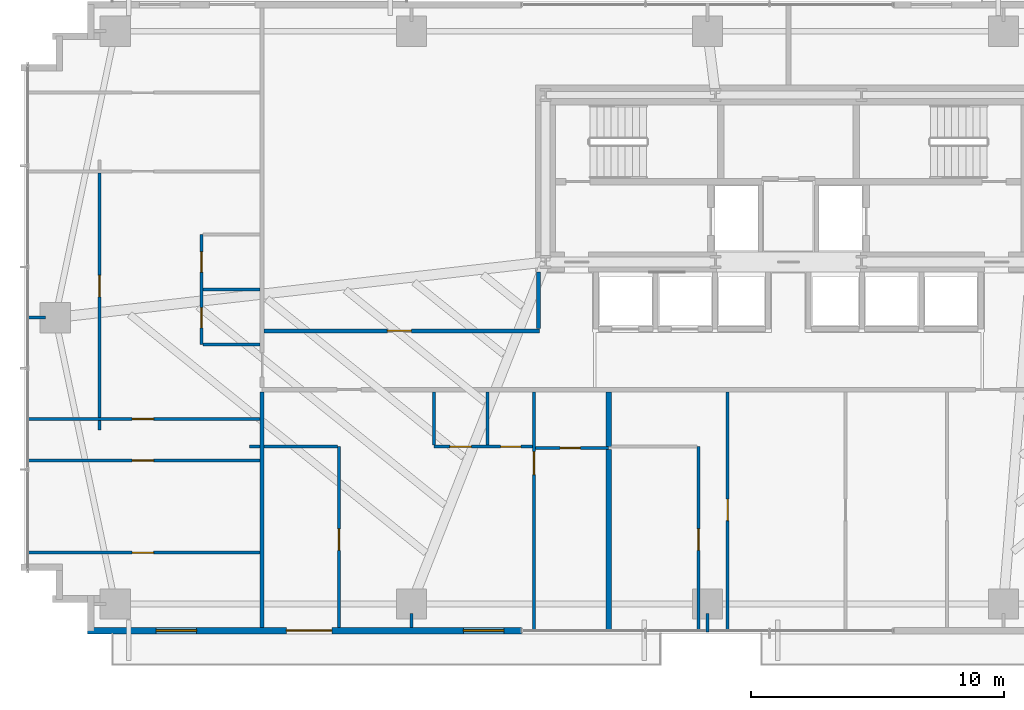
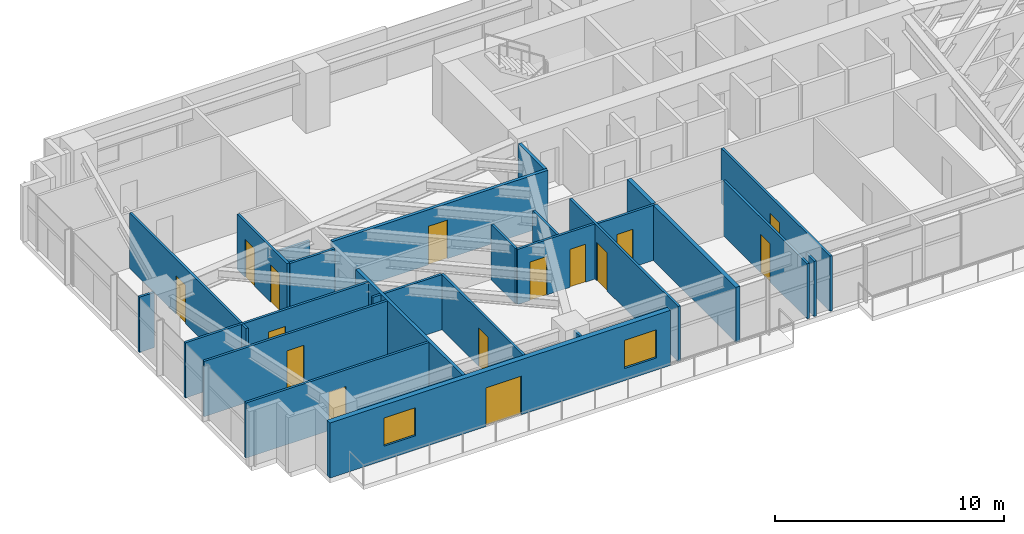
# One storey, part 19 of 25: 27 walls, 15 doors, 2 windows, 17 openings.
"""IFC4 building model written with IfcOpenShell, lengths in metres."""

from ifc_helpers import new_model, si_unit, direction, frame, frame_2d, origin, place, context, subcontext, project, spatial, rectangle, extrude, source, transform, mapped, material, layer, layer_set, type_object, type_shapes, element, fill, save


model = new_model("IFC4")

# Units and contexts
model_context = context("Model", 3, precision=1e-05, world=origin(), true_north=direction((0.0, 1.0)))
body_context = subcontext(model_context, "Body", "Model", "MODEL_VIEW")
ifc_project = project(units=[si_unit("LENGTHUNIT", "METRE"), si_unit("AREAUNIT", "SQUARE_METRE"), si_unit("VOLUMEUNIT", "CUBIC_METRE"), si_unit("PLANEANGLEUNIT", "RADIAN"), si_unit("MASSUNIT", "GRAM", prefix="KILO")], contexts=[model_context])

# Site, building, storey
site_placement = place(None, origin())
site = spatial("IfcSite", under=ifc_project, at=site_placement, CompositionType="ELEMENT")
building_placement = place(site_placement, origin())
building = spatial("IfcBuilding", under=site, at=building_placement, Name="Astriad Promenade Condominiums", CompositionType="ELEMENT")
storey_placement = place(building_placement, frame((0.0, 0.0, 26.199951171875)))
storey = spatial("IfcBuildingStorey", under=building, at=storey_placement, Name="L06", CompositionType="ELEMENT", Elevation=26.199951171875)

# Wall
ifc_material_1 = material(Name="Fire-Rated Gypsum Partition")
ifc_layer_1 = layer(ifc_material_1, 0.159912109375)
ifc_layer_set_1 = layer_set([ifc_layer_1], Name="Fire-Rated Gypsum Partition")
wall_type_1 = type_object("IfcWallType", Name="WALL-CORR-160", PredefinedType="PARTITIONING", material=ifc_layer_set_1)
wall_1_placement = place(storey_placement, frame((15.199951171875, 2.9619140625, 0.0), z_axis=(0.0, 0.0, 1.0), x_axis=(0.0, 1.0, 0.0)))
element("IfcWall", 1, at=wall_1_placement, inside=storey, type_object=wall_type_1, Name="PT-COR-W-L06", PredefinedType="PARTITIONING", context=body_context, shape_type="SweptSolid", body=[
    extrude(rectangle(XDim=9.30615234375, YDim=0.159912109375, at=frame_2d((4.653076171875, 0.0))), origin(), (0.0, 0.0, 1.0), 2.93994140625),
])

# Wall, opening, door
wall_2_placement = place(storey_placement, frame((15.281982421875, 14.679931640625, 0.0), z_axis=(0.0, 0.0, 1.0), x_axis=(1.0, 0.0, 0.0)))
wall_2 = element("IfcWall", 2, at=wall_2_placement, inside=storey, type_object=wall_type_1, Name="PT-FLK-NW-L06", PredefinedType="PARTITIONING", context=body_context, shape_type="SweptSolid", body=[
    extrude(rectangle(XDim=10.8779296875, YDim=0.159912109375, at=frame_2d((5.43896484375, 0.0))), origin(), (0.0, 0.0, 1.0), 2.93994140625),
])
opening_1_placement = place(wall_2_placement, frame((4.863037109375, 0.0, 0.0)))
opening_1 = element("IfcOpeningElement", 3, at=opening_1_placement, cuts=wall_2, Name="Opening FD60-APT-095", PredefinedType="OPENING", context=body_context, shape_type="SweptSolid", body=[
    extrude(rectangle(XDim=0.949951171875, YDim=2.06005859375, at=frame_2d((0.47509765625, 1.030029296875))), frame((0.0, 0.08984375, 0.0), z_axis=(0.0, -1.0, 0.0), x_axis=(1.0, 0.0, 0.0)), (0.0, 0.0, 1.0), 0.179931640625),
])
ifc_material_2 = material(Name="Solid-Core Acoustic Timber Residence Entry Door", Category="wood")
door_type_1 = type_object("IfcDoorType", Name="FD60-APT-095", OperationType="NOTDEFINED", PredefinedType="DOOR", material=ifc_material_2)
shared_shape_1 = source(origin(), body_context, "Body", "SweptSolid", [
    extrude(rectangle(XDim=0.949951171875, YDim=2.06005859375, at=frame_2d((0.47509765625, 1.030029296875))), frame((0.0, 0.02490234375, 0.0), z_axis=(0.0, -1.0, 0.0), x_axis=(1.0, 0.0, 0.0)), (0.0, 0.0, 1.0), 0.050048828125),
])
type_shapes(door_type_1, [shared_shape_1])
door_1_placement = place(opening_1_placement, origin())
door_1 = element("IfcDoor", 4, at=door_1_placement, inside=storey, type_object=door_type_1, Name="D-NWA-L06", OperationType="SINGLE_SWING_RIGHT", OverallHeight=2.06005859375, OverallWidth=0.949951171875, PredefinedType="DOOR", context=body_context, shape_type="MappedRepresentation", body=[
    mapped(shared_shape_1, transform((0.0, 0.0, 0.0), scale=1.0)),
])
fill(opening_1, door_1)

# Walls
wall_3_placement = place(storey_placement, frame((26.1201171875, 14.761962890625, 0.0), z_axis=(0.0, 0.0, 1.0), x_axis=(0.0, 1.0, 0.0)))
element("IfcWall", 5, at=wall_3_placement, inside=storey, type_object=wall_type_1, Name="PT-WSPUR-W-L06", PredefinedType="PARTITIONING", context=body_context, shape_type="SweptSolid", body=[
    extrude(rectangle(XDim=2.236083984375, YDim=0.159912109375, at=frame_2d((1.1181640625, 0.0))), origin(), (0.0, 0.0, 1.0), 2.93994140625),
])
ifc_material_3 = material(Name="Acoustic Double-Stud Gypsum Partition")
ifc_layer_2 = layer(ifc_material_3, 0.199951171875)
ifc_layer_set_2 = layer_set([ifc_layer_2], Name="Acoustic Double-Stud Gypsum Partition")
wall_type_2 = type_object("IfcWallType", Name="WALL-DEMISING-200", PredefinedType="PARTITIONING", material=ifc_layer_set_2)
wall_4_placement = place(storey_placement, frame((28.89794921875, 2.780029296875, 0.0), z_axis=(0.0, 0.0, 1.0), x_axis=(0.0, 1.0, 0.0)))
element("IfcWall", 6, at=wall_4_placement, inside=storey, type_object=wall_type_2, Name="PT-DEM-S1-L06", PredefinedType="PARTITIONING", context=body_context, shape_type="SweptSolid", body=[
    extrude(rectangle(XDim=7.2080078125, YDim=0.199951171875, at=frame_2d((3.60400390625, 0.0))), origin(), (0.0, 0.0, 1.0), 2.93994140625),
])
wall_5_placement = place(storey_placement, frame((28.89794921875, 10.112060546875, 0.0), z_axis=(0.0, 0.0, 1.0), x_axis=(0.0, 1.0, 0.0)))
element("IfcWall", 7, at=wall_5_placement, inside=storey, type_object=wall_type_2, Name="PT-DEM-S1-L06-S2", PredefinedType="PARTITIONING", context=body_context, shape_type="SweptSolid", body=[
    extrude(rectangle(XDim=2.156005859375, YDim=0.199951171875, at=frame_2d((1.078125, 0.0))), origin(), (0.0, 0.0, 1.0), 2.93994140625),
])

# Wall, openings, door, windows
ifc_material_4 = material(Name="Precast concrete C50/60", Category="concrete")
ifc_layer_3 = layer(ifc_material_4, 0.260009765625)
ifc_layer_set_3 = layer_set([ifc_layer_3], Name="Precast concrete C50/60")
wall_type_3 = type_object("IfcWallType", Name="WALL-EXT-TWR-260", PredefinedType="STANDARD", material=ifc_layer_set_3)
wall_6_placement = place(storey_placement, frame((25.449951171875, 2.830078125, 0.0), z_axis=(0.0, 0.0, 1.0), x_axis=(-1.0, 0.0, 0.0)))
wall_6 = element("IfcWall", 8, at=wall_6_placement, inside=storey, type_object=wall_type_3, Name="W-EXT-L06-S2", PredefinedType="STANDARD", context=body_context, shape_type="SweptSolid", body=[
    extrude(rectangle(XDim=17.14990234375, YDim=0.260009765625, at=frame_2d((8.574951171875, 0.0))), origin(), (0.0, 0.0, 1.0), 2.93994140625),
])
opening_2_placement = place(wall_6_placement, frame((7.489990234375, 0.0, 0.0)))
opening_2 = element("IfcOpeningElement", 9, at=opening_2_placement, cuts=wall_6, Name="Opening BD-1822-SLD", PredefinedType="OPENING", context=body_context, shape_type="SweptSolid", body=[
    extrude(rectangle(XDim=1.800048828125, YDim=2.06005859375, at=frame_2d((0.89990234375, 1.030029296875))), frame((0.0, 0.139892578125, 0.0), z_axis=(0.0, -1.0, 0.0), x_axis=(1.0, 0.0, 0.0)), (0.0, 0.0, 1.0), 0.280029296875),
])
opening_3_placement = place(wall_6_placement, frame((0.699951171875, 0.0, 0.64990234375)))
opening_3 = element("IfcOpeningElement", 10, at=opening_3_placement, cuts=wall_6, Name="Opening WIN-TWR-1620", PredefinedType="OPENING", context=body_context, shape_type="SweptSolid", body=[
    extrude(rectangle(XDim=1.60009765625, YDim=1.5, at=frame_2d((0.800048828125, 0.75))), frame((0.0, 0.139892578125, 0.0), z_axis=(0.0, -1.0, 0.0), x_axis=(1.0, 0.0, 0.0)), (0.0, 0.0, 1.0), 0.280029296875),
])
opening_4_placement = place(wall_6_placement, frame((12.840087890625, 0.0, 0.75)))
opening_4 = element("IfcOpeningElement", 11, at=opening_4_placement, cuts=wall_6, Name="Opening WIN-TWR-1620", PredefinedType="OPENING", context=body_context, shape_type="SweptSolid", body=[
    extrude(rectangle(XDim=1.60009765625, YDim=1.5, at=frame_2d((0.800048828125, 0.75))), frame((0.0, 0.139892578125, 0.0), z_axis=(0.0, -1.0, 0.0), x_axis=(1.0, 0.0, 0.0)), (0.0, 0.0, 1.0), 0.280029296875),
])
ifc_material_5 = material(Name="Thermally Broken Aluminium Sliding Balcony Door", Category="aluminium")
door_type_2 = type_object("IfcDoorType", Name="BD-1822-SLD", OperationType="NOTDEFINED", PredefinedType="DOOR", material=ifc_material_5)
shared_shape_2 = source(origin(), body_context, "Body", "SweptSolid", [
    extrude(rectangle(XDim=1.800048828125, YDim=2.06005859375, at=frame_2d((0.89990234375, 1.030029296875))), frame((0.0, 0.02490234375, 0.0), z_axis=(0.0, -1.0, 0.0), x_axis=(1.0, 0.0, 0.0)), (0.0, 0.0, 1.0), 0.050048828125),
])
type_shapes(door_type_2, [shared_shape_2])
door_2_placement = place(opening_2_placement, origin())
door_2 = element("IfcDoor", 12, at=door_2_placement, inside=storey, type_object=door_type_2, Name="BD-L06-SW", OperationType="SLIDING_TO_LEFT", OverallHeight=2.06005859375, OverallWidth=1.800048828125, PredefinedType="DOOR", context=body_context, shape_type="MappedRepresentation", body=[
    mapped(shared_shape_2, transform((0.0, 0.0, 0.0), scale=1.0)),
])
fill(opening_2, door_2)
ifc_material_6 = material(Name="Dark Tinted Triple-Glazed Aluminium Window", Category="aluminium")
window_type = type_object("IfcWindowType", Name="WIN-TWR-1620", PartitioningType="SINGLE_PANEL", PredefinedType="WINDOW", material=ifc_material_6)
shared_shape_3 = source(origin(), body_context, "Body", "SweptSolid", [
    extrude(rectangle(XDim=1.60009765625, YDim=1.5, at=frame_2d((0.800048828125, 0.75))), frame((0.0, 0.030029296875, 0.0), z_axis=(0.0, -1.0, 0.0), x_axis=(1.0, 0.0, 0.0)), (0.0, 0.0, 1.0), 0.06005859375),
])
type_shapes(window_type, [shared_shape_3])
window_1_placement = place(opening_3_placement, origin())
window_1 = element("IfcWindow", 13, at=window_1_placement, inside=storey, type_object=window_type, Name="WIN-L06-SW", OverallHeight=1.5, OverallWidth=1.60009765625, PartitioningType="SINGLE_PANEL", PredefinedType="WINDOW", context=body_context, shape_type="MappedRepresentation", body=[
    mapped(shared_shape_3, transform((0.0, 0.0, 0.0), scale=1.0)),
])
fill(opening_3, window_1)
window_2_placement = place(opening_4_placement, origin())
window_2 = element("IfcWindow", 14, at=window_2_placement, inside=storey, type_object=window_type, Name="WIN-DW-L06-W1-BD2", OverallHeight=1.5, OverallWidth=1.60009765625, PartitioningType="SINGLE_PANEL", PredefinedType="WINDOW", context=body_context, shape_type="MappedRepresentation", body=[
    mapped(shared_shape_3, transform((0.0, 0.0, 0.0), scale=1.0)),
])
fill(opening_4, window_2)

# Wall, opening, door
ifc_material_7 = material(Name="Acoustic Metal-Stud Gypsum Partition")
ifc_layer_4 = layer(ifc_material_7, 0.1201171875)
ifc_layer_set_4 = layer_set([ifc_layer_4], Name="Acoustic Metal-Stud Gypsum Partition")
wall_type_4 = type_object("IfcWallType", Name="WALL-PART-120", PredefinedType="PARTITIONING", material=ifc_layer_set_4)
wall_7_placement = place(storey_placement, frame((25.947998046875, 2.780029296875, 0.0), z_axis=(0.0, 0.0, 1.0), x_axis=(0.0, 1.0, 0.0)))
wall_7 = element("IfcWall", 15, at=wall_7_placement, inside=storey, type_object=wall_type_4, Name="PT-L06-S1-BD1", PredefinedType="PARTITIONING", context=body_context, shape_type="SweptSolid", body=[
    extrude(rectangle(XDim=9.488037109375, YDim=0.1201171875, at=frame_2d((4.744140625, 0.0))), origin(), (0.0, 0.0, 1.0), 2.93994140625),
])
opening_5_placement = place(wall_7_placement, frame((6.219970703125, 0.0, 0.0)))
opening_5 = element("IfcOpeningElement", 16, at=opening_5_placement, cuts=wall_7, Name="Opening D-INT-090", PredefinedType="OPENING", context=body_context, shape_type="SweptSolid", body=[
    extrude(rectangle(XDim=0.89990234375, YDim=2.050048828125, at=frame_2d((0.449951171875, 1.02490234375))), frame((0.0, 0.070068359375, 0.0), z_axis=(0.0, -1.0, 0.0), x_axis=(1.0, 0.0, 0.0)), (0.0, 0.0, 1.0), 0.14013671875),
])
ifc_material_8 = material(Name="Painted Solid-Core Timber Bedroom Door", Category="wood")
door_type_3 = type_object("IfcDoorType", Name="D-INT-090", OperationType="NOTDEFINED", PredefinedType="DOOR", material=ifc_material_8)
shared_shape_4 = source(origin(), body_context, "Body", "SweptSolid", [
    extrude(rectangle(XDim=0.89990234375, YDim=2.050048828125, at=frame_2d((0.449951171875, 1.02490234375))), frame((0.0, 0.02490234375, 0.0), z_axis=(0.0, -1.0, 0.0), x_axis=(1.0, 0.0, 0.0)), (0.0, 0.0, 1.0), 0.050048828125),
])
type_shapes(door_type_3, [shared_shape_4])
door_3_placement = place(opening_5_placement, origin())
door_3 = element("IfcDoor", 17, at=door_3_placement, inside=storey, type_object=door_type_3, Name="D-BD1-L06-S1", OperationType="SINGLE_SWING_LEFT", OverallHeight=2.050048828125, OverallWidth=0.89990234375, PredefinedType="DOOR", context=body_context, shape_type="MappedRepresentation", body=[
    mapped(shared_shape_4, transform((0.0, 0.0, 0.0), scale=1.0)),
])
fill(opening_5, door_3)

# Wall, openings, doors
wall_8_placement = place(storey_placement, frame((21.998046875, 10.10009765625, 0.0), z_axis=(0.0, 0.0, 1.0), x_axis=(1.0, 0.0, 0.0)))
wall_8 = element("IfcWall", 18, at=wall_8_placement, inside=storey, type_object=wall_type_4, Name="PT-L06-S1-PS", PredefinedType="PARTITIONING", context=body_context, shape_type="SweptSolid", body=[
    extrude(rectangle(XDim=3.887939453125, YDim=0.1201171875, at=frame_2d((1.94384765625, 0.0))), origin(), (0.0, 0.0, 1.0), 2.93994140625),
])
opening_6_placement = place(wall_8_placement, frame((0.625, 0.0, 0.0)))
opening_6 = element("IfcOpeningElement", 19, at=opening_6_placement, cuts=wall_8, Name="Opening D-INT-085", PredefinedType="OPENING", context=body_context, shape_type="SweptSolid", body=[
    extrude(rectangle(XDim=0.85009765625, YDim=2.050048828125, at=frame_2d((0.425048828125, 1.02490234375))), frame((0.0, 0.070068359375, 0.0), z_axis=(0.0, -1.0, 0.0), x_axis=(1.0, 0.0, 0.0)), (0.0, 0.0, 1.0), 0.14013671875),
])
opening_7_placement = place(wall_8_placement, frame((2.625, 0.0, 0.0)))
opening_7 = element("IfcOpeningElement", 20, at=opening_7_placement, cuts=wall_8, Name="Opening D-WET-080", PredefinedType="OPENING", context=body_context, shape_type="SweptSolid", body=[
    extrude(rectangle(XDim=0.800048828125, YDim=2.02001953125, at=frame_2d((0.39990234375, 1.010009765625))), frame((0.0, 0.070068359375, 0.0), z_axis=(0.0, -1.0, 0.0), x_axis=(1.0, 0.0, 0.0)), (0.0, 0.0, 1.0), 0.14013671875),
])
ifc_material_9 = material(Name="Moisture-Resistant Timber Bathroom Door", Category="wood")
door_type_4 = type_object("IfcDoorType", Name="D-WET-080", OperationType="NOTDEFINED", PredefinedType="DOOR", material=ifc_material_9)
shared_shape_5 = source(origin(), body_context, "Body", "SweptSolid", [
    extrude(rectangle(XDim=0.800048828125, YDim=2.02001953125, at=frame_2d((0.39990234375, 1.010009765625))), frame((0.0, 0.02490234375, 0.0), z_axis=(0.0, -1.0, 0.0), x_axis=(1.0, 0.0, 0.0)), (0.0, 0.0, 1.0), 0.050048828125),
])
type_shapes(door_type_4, [shared_shape_5])
door_4_placement = place(opening_7_placement, origin())
door_4 = element("IfcDoor", 21, at=door_4_placement, inside=storey, type_object=door_type_4, Name="D-BTH-L06-S1", OperationType="SINGLE_SWING_LEFT", OverallHeight=2.02001953125, OverallWidth=0.800048828125, PredefinedType="DOOR", context=body_context, shape_type="MappedRepresentation", body=[
    mapped(shared_shape_5, transform((0.0, 0.0, 0.0), scale=1.0)),
])
fill(opening_7, door_4)
ifc_material_10 = material(Name="Painted Solid-Core Timber Room Door", Category="wood")
door_type_5 = type_object("IfcDoorType", Name="D-INT-085", OperationType="NOTDEFINED", PredefinedType="DOOR", material=ifc_material_10)
shared_shape_6 = source(origin(), body_context, "Body", "SweptSolid", [
    extrude(rectangle(XDim=0.85009765625, YDim=2.050048828125, at=frame_2d((0.425048828125, 1.02490234375))), frame((0.0, 0.02490234375, 0.0), z_axis=(0.0, -1.0, 0.0), x_axis=(1.0, 0.0, 0.0)), (0.0, 0.0, 1.0), 0.050048828125),
])
type_shapes(door_type_5, [shared_shape_6])
door_5_placement = place(opening_6_placement, origin())
door_5 = element("IfcDoor", 22, at=door_5_placement, inside=storey, type_object=door_type_5, Name="D-KIT-L06-S1", OperationType="SINGLE_SWING_RIGHT", OverallHeight=2.050048828125, OverallWidth=0.85009765625, PredefinedType="DOOR", context=body_context, shape_type="MappedRepresentation", body=[
    mapped(shared_shape_6, transform((0.0, 0.0, 0.0), scale=1.0)),
])
fill(opening_6, door_5)

# Walls
for number, where, z_axis, x_axis, name in (
    (23, (24.097900390625, 10.162109375, 0.0), (0.0, 0.0, 1.0), (0.0, 1.0, 0.0), "PT-L06-S1-PBK"),
    (24, (21.998046875, 10.162109375, 0.0), (0.0, 0.0, 1.0), (0.0, 1.0, 0.0), "PT-L06-S1-PKW"),
):
    element("IfcWall", number, at=place(storey_placement, frame(where, z_axis=z_axis, x_axis=x_axis)), inside=storey, type_object=wall_type_4, Name=name, PredefinedType="PARTITIONING", context=body_context, shape_type="SweptSolid", body=[
        extrude(rectangle(XDim=2.10595703125, YDim=0.1201171875, at=frame_2d((1.052978515625, 0.0))), origin(), (0.0, 0.0, 1.0), 2.93994140625),
    ])

# Wall, opening, door
wall_9_placement = place(storey_placement, frame((26.010009765625, 10.050048828125, 0.0), z_axis=(0.0, 0.0, 1.0), x_axis=(1.0, 0.0, 0.0)))
wall_9 = element("IfcWall", 25, at=wall_9_placement, inside=storey, type_object=wall_type_4, Name="PT-L06-S1-ENS", PredefinedType="PARTITIONING", context=body_context, shape_type="SweptSolid", body=[
    extrude(rectangle(XDim=2.887939453125, YDim=0.1201171875, at=frame_2d((1.44384765625, 0.0))), origin(), (0.0, 0.0, 1.0), 2.93994140625),
])
opening_8_placement = place(wall_9_placement, frame((0.962890625, 0.0, 0.0)))
opening_8 = element("IfcOpeningElement", 26, at=opening_8_placement, cuts=wall_9, Name="Opening D-WET-080", PredefinedType="OPENING", context=body_context, shape_type="SweptSolid", body=[
    extrude(rectangle(XDim=0.800048828125, YDim=2.02001953125, at=frame_2d((0.39990234375, 1.010009765625))), frame((0.0, 0.070068359375, 0.0), z_axis=(0.0, -1.0, 0.0), x_axis=(1.0, 0.0, 0.0)), (0.0, 0.0, 1.0), 0.14013671875),
])
door_6_placement = place(opening_8_placement, origin())
door_6 = element("IfcDoor", 27, at=door_6_placement, inside=storey, type_object=door_type_4, Name="D-ENS-L06-S1", OperationType="SINGLE_SWING_RIGHT", OverallHeight=2.02001953125, OverallWidth=0.800048828125, PredefinedType="DOOR", context=body_context, shape_type="MappedRepresentation", body=[
    mapped(shared_shape_5, transform((0.0, 0.0, 0.0), scale=1.0)),
])
fill(opening_8, door_6)

wall_10_placement = place(storey_placement, frame((18.236083984375, 2.9619140625, 0.0), z_axis=(0.0, 0.0, 1.0), x_axis=(0.0, 1.0, 0.0)))
wall_10 = element("IfcWall", 28, at=wall_10_placement, inside=storey, type_object=wall_type_4, Name="PT-L06-S1-EXV", PredefinedType="PARTITIONING", context=body_context, shape_type="SweptSolid", body=[
    extrude(rectangle(XDim=7.13818359375, YDim=0.1201171875, at=frame_2d((3.569091796875, 0.0))), origin(), (0.0, 0.0, 1.0), 2.93994140625),
])
opening_9_placement = place(wall_10_placement, frame((3.04296875, 0.0, 0.0)))
opening_9 = element("IfcOpeningElement", 29, at=opening_9_placement, cuts=wall_10, Name="Opening D-INT-085", PredefinedType="OPENING", context=body_context, shape_type="SweptSolid", body=[
    extrude(rectangle(XDim=0.85009765625, YDim=2.050048828125, at=frame_2d((0.425048828125, 1.02490234375))), frame((0.0, 0.070068359375, 0.0), z_axis=(0.0, -1.0, 0.0), x_axis=(1.0, 0.0, 0.0)), (0.0, 0.0, 1.0), 0.14013671875),
])
door_7_placement = place(opening_9_placement, origin())
door_7 = element("IfcDoor", 30, at=door_7_placement, inside=storey, type_object=door_type_5, Name="D-EX-L06-S1", OperationType="SINGLE_SWING_LEFT", OverallHeight=2.050048828125, OverallWidth=0.85009765625, PredefinedType="DOOR", context=body_context, shape_type="MappedRepresentation", body=[
    mapped(shared_shape_6, transform((0.0, 0.0, 0.0), scale=1.0)),
])
fill(opening_9, door_7)

# Walls
wall_11_placement = place(storey_placement, frame((14.699951171875, 10.10009765625, 0.0), z_axis=(0.0, 0.0, 1.0), x_axis=(1.0, 0.0, 0.0)))
element("IfcWall", 31, at=wall_11_placement, inside=storey, type_object=wall_type_4, Name="PT-L06-S1-EXH", PredefinedType="PARTITIONING", context=body_context, shape_type="SweptSolid", body=[
    extrude(rectangle(XDim=0.41796875, YDim=0.1201171875, at=frame_2d((0.208984375, 0.0))), origin(), (0.0, 0.0, 1.0), 2.93994140625),
])
wall_12_placement = place(storey_placement, frame((15.281982421875, 10.10009765625, 0.0), z_axis=(0.0, 0.0, 1.0), x_axis=(1.0, 0.0, 0.0)))
element("IfcWall", 32, at=wall_12_placement, inside=storey, type_object=wall_type_4, Name="PT-L06-S1-EXH-S2", PredefinedType="PARTITIONING", context=body_context, shape_type="SweptSolid", body=[
    extrude(rectangle(XDim=2.89208984375, YDim=0.1201171875, at=frame_2d((1.446044921875, 0.0))), origin(), (0.0, 0.0, 1.0), 2.93994140625),
])

# Wall, opening, door
wall_13_placement = place(storey_placement, frame((32.447998046875, 2.780029296875, 0.0), z_axis=(0.0, 0.0, 1.0), x_axis=(0.0, 1.0, 0.0)))
wall_13 = element("IfcWall", 33, at=wall_13_placement, inside=storey, type_object=wall_type_4, Name="PT-L06-S2-EXV", PredefinedType="PARTITIONING", context=body_context, shape_type="SweptSolid", body=[
    extrude(rectangle(XDim=7.320068359375, YDim=0.1201171875, at=frame_2d((3.66015625, 0.0))), origin(), (0.0, 0.0, 1.0), 2.93994140625),
])
opening_10_placement = place(wall_13_placement, frame((3.22509765625, 0.0, 0.0)))
opening_10 = element("IfcOpeningElement", 34, at=opening_10_placement, cuts=wall_13, Name="Opening D-INT-085", PredefinedType="OPENING", context=body_context, shape_type="SweptSolid", body=[
    extrude(rectangle(XDim=0.85009765625, YDim=2.050048828125, at=frame_2d((0.425048828125, 1.02490234375))), frame((0.0, 0.070068359375, 0.0), z_axis=(0.0, -1.0, 0.0), x_axis=(1.0, 0.0, 0.0)), (0.0, 0.0, 1.0), 0.14013671875),
])
door_8_placement = place(opening_10_placement, origin())
door_8 = element("IfcDoor", 35, at=door_8_placement, inside=storey, type_object=door_type_5, Name="D-EX-L06-S2", OperationType="SINGLE_SWING_RIGHT", OverallHeight=2.050048828125, OverallWidth=0.85009765625, PredefinedType="DOOR", context=body_context, shape_type="MappedRepresentation", body=[
    mapped(shared_shape_6, transform((0.0, 0.0, 0.0), scale=1.0)),
])
fill(opening_10, door_8)

wall_14_placement = place(storey_placement, frame((33.597900390625, 2.780029296875, 0.0), z_axis=(0.0, 0.0, 1.0), x_axis=(0.0, 1.0, 0.0)))
wall_14 = element("IfcWall", 36, at=wall_14_placement, inside=storey, type_object=wall_type_4, Name="PT-L06-S2-CAP1", PredefinedType="PARTITIONING", context=body_context, shape_type="SweptSolid", body=[
    extrude(rectangle(XDim=9.488037109375, YDim=0.1201171875, at=frame_2d((4.744140625, 0.0))), origin(), (0.0, 0.0, 1.0), 2.93994140625),
])
opening_11_placement = place(wall_14_placement, frame((4.39990234375, 0.0, 0.0)))
opening_11 = element("IfcOpeningElement", 37, at=opening_11_placement, cuts=wall_14, Name="Opening D-INT-085", PredefinedType="OPENING", context=body_context, shape_type="SweptSolid", body=[
    extrude(rectangle(XDim=0.85009765625, YDim=2.050048828125, at=frame_2d((0.425048828125, 1.02490234375))), frame((0.0, 0.070068359375, 0.0), z_axis=(0.0, -1.0, 0.0), x_axis=(1.0, 0.0, 0.0)), (0.0, 0.0, 1.0), 0.14013671875),
])
door_9_placement = place(opening_11_placement, origin())
door_9 = element("IfcDoor", 38, at=door_9_placement, inside=storey, type_object=door_type_5, Name="D-CAP1-L06-S2", OperationType="SINGLE_SWING_LEFT", OverallHeight=2.050048828125, OverallWidth=0.85009765625, PredefinedType="DOOR", context=body_context, shape_type="MappedRepresentation", body=[
    mapped(shared_shape_6, transform((0.0, 0.0, 0.0), scale=1.0)),
])
fill(opening_11, door_9)

# Wall, openings, doors
wall_15_placement = place(storey_placement, frame((12.800048828125, 14.135986328125, 0.0), z_axis=(0.0, 0.0, 1.0), x_axis=(0.0, 1.0, 0.0)))
wall_15 = element("IfcWall", 39, at=wall_15_placement, inside=storey, type_object=wall_type_4, Name="PT-L06-W1-PV", PredefinedType="PARTITIONING", context=body_context, shape_type="SweptSolid", body=[
    extrude(rectangle(XDim=4.35009765625, YDim=0.1201171875, at=frame_2d((2.175048828125, 0.0))), origin(), (0.0, 0.0, 1.0), 2.93994140625),
])
opening_12_placement = place(wall_15_placement, frame((0.662109375, 0.0, 0.0)))
opening_12 = element("IfcOpeningElement", 40, at=opening_12_placement, cuts=wall_15, Name="Opening D-ULOW-080", PredefinedType="OPENING", context=body_context, shape_type="SweptSolid", body=[
    extrude(rectangle(XDim=0.800048828125, YDim=2.0, at=frame_2d((0.39990234375, 1.0))), frame((0.0, 0.070068359375, 0.0), z_axis=(0.0, -1.0, 0.0), x_axis=(1.0, 0.0, 0.0)), (0.0, 0.0, 1.0), 0.14013671875),
])
opening_13_placement = place(wall_15_placement, frame((2.862060546875, 0.0, 0.0)))
opening_13 = element("IfcOpeningElement", 41, at=opening_13_placement, cuts=wall_15, Name="Opening D-WET-080", PredefinedType="OPENING", context=body_context, shape_type="SweptSolid", body=[
    extrude(rectangle(XDim=0.800048828125, YDim=2.02001953125, at=frame_2d((0.39990234375, 1.010009765625))), frame((0.0, 0.070068359375, 0.0), z_axis=(0.0, -1.0, 0.0), x_axis=(1.0, 0.0, 0.0)), (0.0, 0.0, 1.0), 0.14013671875),
])
door_10_placement = place(opening_13_placement, origin())
door_10 = element("IfcDoor", 42, at=door_10_placement, inside=storey, type_object=door_type_4, Name="D-BTH-L06-W1", OperationType="SINGLE_SWING_RIGHT", OverallHeight=2.02001953125, OverallWidth=0.800048828125, PredefinedType="DOOR", context=body_context, shape_type="MappedRepresentation", body=[
    mapped(shared_shape_5, transform((0.0, 0.0, 0.0), scale=1.0)),
])
fill(opening_13, door_10)
ifc_material_11 = material(Name="Painted Timber Low-Headroom Door", Category="wood")
door_type_6 = type_object("IfcDoorType", Name="D-ULOW-080", OperationType="NOTDEFINED", PredefinedType="DOOR", material=ifc_material_11)
shared_shape_7 = source(origin(), body_context, "Body", "SweptSolid", [
    extrude(rectangle(XDim=0.800048828125, YDim=2.0, at=frame_2d((0.39990234375, 1.0))), frame((0.0, 0.02490234375, 0.0), z_axis=(0.0, -1.0, 0.0), x_axis=(1.0, 0.0, 0.0)), (0.0, 0.0, 1.0), 0.050048828125),
])
type_shapes(door_type_6, [shared_shape_7])
door_11_placement = place(opening_12_placement, origin())
door_11 = element("IfcDoor", 43, at=door_11_placement, inside=storey, type_object=door_type_6, Name="D-KIT-L06-W1", OperationType="SINGLE_SWING_LEFT", OverallHeight=2.0, OverallWidth=0.800048828125, PredefinedType="DOOR", context=body_context, shape_type="MappedRepresentation", body=[
    mapped(shared_shape_7, transform((0.0, 0.0, 0.0), scale=1.0)),
])
fill(opening_12, door_11)

# Walls
wall_16_placement = place(storey_placement, frame((12.862060546875, 16.31103515625, 0.0), z_axis=(0.0, 0.0, 1.0), x_axis=(1.0, 0.0, 0.0)))
element("IfcWall", 44, at=wall_16_placement, inside=storey, type_object=wall_type_4, Name="PT-L06-W1-PM", PredefinedType="PARTITIONING", context=body_context, shape_type="SweptSolid", body=[
    extrude(rectangle(XDim=2.255859375, YDim=0.1201171875, at=frame_2d((1.1279296875, 0.0))), origin(), (0.0, 0.0, 1.0), 2.044921875),
])
wall_17_placement = place(storey_placement, frame((12.862060546875, 14.135986328125, 0.0), z_axis=(0.0, 0.0, 1.0), x_axis=(1.0, 0.0, 0.0)))
element("IfcWall", 45, at=wall_17_placement, inside=storey, type_object=wall_type_4, Name="PT-L06-W1-PS", PredefinedType="PARTITIONING", context=body_context, shape_type="SweptSolid", body=[
    extrude(rectangle(XDim=2.255859375, YDim=0.1201171875, at=frame_2d((1.1279296875, 0.0))), origin(), (0.0, 0.0, 1.0), 2.93994140625),
])

# Wall, opening, door
wall_18_placement = place(storey_placement, frame((5.8798828125, 5.909912109375, 0.0), z_axis=(0.0, 0.0, 1.0), x_axis=(1.0, 0.0, 0.0)))
wall_18 = element("IfcWall", 46, at=wall_18_placement, inside=storey, type_object=wall_type_4, Name="PT-L06-W1-B2", PredefinedType="PARTITIONING", context=body_context, shape_type="SweptSolid", body=[
    extrude(rectangle(XDim=9.238037109375, YDim=0.1201171875, at=frame_2d((4.619140625, 0.0))), origin(), (0.0, 0.0, 1.0), 2.93994140625),
])
opening_14_placement = place(wall_18_placement, frame((4.18505859375, 0.0, 0.0)))
opening_14 = element("IfcOpeningElement", 47, at=opening_14_placement, cuts=wall_18, Name="Opening D-INT-085", PredefinedType="OPENING", context=body_context, shape_type="SweptSolid", body=[
    extrude(rectangle(XDim=0.85009765625, YDim=2.050048828125, at=frame_2d((0.425048828125, 1.02490234375))), frame((0.0, 0.070068359375, 0.0), z_axis=(0.0, -1.0, 0.0), x_axis=(1.0, 0.0, 0.0)), (0.0, 0.0, 1.0), 0.14013671875),
])
door_12_placement = place(opening_14_placement, origin())
door_12 = element("IfcDoor", 48, at=door_12_placement, inside=storey, type_object=door_type_5, Name="D-BD2-L06-W1", OperationType="SINGLE_SWING_RIGHT", OverallHeight=2.050048828125, OverallWidth=0.85009765625, PredefinedType="DOOR", context=body_context, shape_type="MappedRepresentation", body=[
    mapped(shared_shape_6, transform((0.0, 0.0, 0.0), scale=1.0)),
])
fill(opening_14, door_12)

wall_19_placement = place(storey_placement, frame((5.8798828125, 9.553955078125, 0.0), z_axis=(0.0, 0.0, 1.0), x_axis=(1.0, 0.0, 0.0)))
wall_19 = element("IfcWall", 49, at=wall_19_placement, inside=storey, type_object=wall_type_4, Name="PT-L06-W1-WDS1", PredefinedType="PARTITIONING", context=body_context, shape_type="SweptSolid", body=[
    extrude(rectangle(XDim=9.238037109375, YDim=0.1201171875, at=frame_2d((4.619140625, 0.0))), origin(), (0.0, 0.0, 1.0), 2.93994140625),
])
opening_15_placement = place(wall_19_placement, frame((4.18505859375, 0.0, 0.0)))
opening_15 = element("IfcOpeningElement", 50, at=opening_15_placement, cuts=wall_19, Name="Opening D-INT-085", PredefinedType="OPENING", context=body_context, shape_type="SweptSolid", body=[
    extrude(rectangle(XDim=0.85009765625, YDim=2.050048828125, at=frame_2d((0.425048828125, 1.02490234375))), frame((0.0, 0.070068359375, 0.0), z_axis=(0.0, -1.0, 0.0), x_axis=(1.0, 0.0, 0.0)), (0.0, 0.0, 1.0), 0.14013671875),
])
door_13_placement = place(opening_15_placement, origin())
door_13 = element("IfcDoor", 51, at=door_13_placement, inside=storey, type_object=door_type_5, Name="D-WDS1-L06-W1", OperationType="SINGLE_SWING_LEFT", OverallHeight=2.050048828125, OverallWidth=0.85009765625, PredefinedType="DOOR", context=body_context, shape_type="MappedRepresentation", body=[
    mapped(shared_shape_6, transform((0.0, 0.0, 0.0), scale=1.0)),
])
fill(opening_15, door_13)

wall_20_placement = place(storey_placement, frame((5.8798828125, 11.194091796875, 0.0), z_axis=(0.0, 0.0, 1.0), x_axis=(1.0, 0.0, 0.0)))
wall_20 = element("IfcWall", 52, at=wall_20_placement, inside=storey, type_object=wall_type_4, Name="PT-L06-W1-WDS3", PredefinedType="PARTITIONING", context=body_context, shape_type="SweptSolid", body=[
    extrude(rectangle(XDim=9.238037109375, YDim=0.1201171875, at=frame_2d((4.619140625, 0.0))), origin(), (0.0, 0.0, 1.0), 2.93994140625),
])
opening_16_placement = place(wall_20_placement, frame((4.18505859375, 0.0, 0.0)))
opening_16 = element("IfcOpeningElement", 53, at=opening_16_placement, cuts=wall_20, Name="Opening D-INT-085", PredefinedType="OPENING", context=body_context, shape_type="SweptSolid", body=[
    extrude(rectangle(XDim=0.85009765625, YDim=2.050048828125, at=frame_2d((0.425048828125, 1.02490234375))), frame((0.0, 0.070068359375, 0.0), z_axis=(0.0, -1.0, 0.0), x_axis=(1.0, 0.0, 0.0)), (0.0, 0.0, 1.0), 0.14013671875),
])
door_14_placement = place(opening_16_placement, origin())
door_14 = element("IfcDoor", 54, at=door_14_placement, inside=storey, type_object=door_type_5, Name="D-WDS3-L06-W1", OperationType="SINGLE_SWING_LEFT", OverallHeight=2.050048828125, OverallWidth=0.85009765625, PredefinedType="DOOR", context=body_context, shape_type="MappedRepresentation", body=[
    mapped(shared_shape_6, transform((0.0, 0.0, 0.0), scale=1.0)),
])
fill(opening_16, door_14)

# Wall
wall_21_placement = place(storey_placement, frame((8.77490234375, 10.75390625, 0.0), z_axis=(0.0, 0.0, 1.0), x_axis=(0.0, 1.0, 0.0)))
element("IfcWall", 55, at=wall_21_placement, inside=storey, type_object=wall_type_4, Name="PT-L06-W1-WDV4", PredefinedType="PARTITIONING", context=body_context, shape_type="SweptSolid", body=[
    extrude(rectangle(XDim=0.378173828125, YDim=0.1201171875, at=frame_2d((0.18896484375, 0.0))), origin(), (0.0, 0.0, 1.0), 2.93994140625),
])

# Wall, opening, door
wall_22_placement = place(storey_placement, frame((8.77490234375, 11.256103515625, 0.0), z_axis=(0.0, 0.0, 1.0), x_axis=(0.0, 1.0, 0.0)))
wall_22 = element("IfcWall", 56, at=wall_22_placement, inside=storey, type_object=wall_type_4, Name="PT-L06-W1-WDV4-S2", PredefinedType="PARTITIONING", context=body_context, shape_type="SweptSolid", body=[
    extrude(rectangle(XDim=9.662841796875, YDim=0.1201171875, at=frame_2d((4.83154296875, 0.0))), origin(), (0.0, 0.0, 1.0), 2.93994140625),
])
opening_17_placement = place(wall_22_placement, frame((4.76611328125, 0.0, 0.0)))
opening_17 = element("IfcOpeningElement", 57, at=opening_17_placement, cuts=wall_22, Name="Opening D-INT-085", PredefinedType="OPENING", context=body_context, shape_type="SweptSolid", body=[
    extrude(rectangle(XDim=0.85009765625, YDim=2.050048828125, at=frame_2d((0.425048828125, 1.02490234375))), frame((0.0, 0.070068359375, 0.0), z_axis=(0.0, -1.0, 0.0), x_axis=(1.0, 0.0, 0.0)), (0.0, 0.0, 1.0), 0.14013671875),
])
door_15_placement = place(opening_17_placement, origin())
door_15 = element("IfcDoor", 58, at=door_15_placement, inside=storey, type_object=door_type_5, Name="D-WDV4-L06-W1", OperationType="SINGLE_SWING_RIGHT", OverallHeight=2.050048828125, OverallWidth=0.85009765625, PredefinedType="DOOR", context=body_context, shape_type="MappedRepresentation", body=[
    mapped(shared_shape_6, transform((0.0, 0.0, 0.0), scale=1.0)),
])
fill(opening_17, door_15)

# Walls
wall_23_placement = place(storey_placement, frame((21.10009765625, 3.5, 0.0), z_axis=(0.0, 0.0, 1.0), x_axis=(0.0, -1.0, 0.0)))
element("IfcWall", 59, at=wall_23_placement, inside=storey, type_object=wall_type_4, Name="PT-PIL-L06-PC02-9", PredefinedType="PARTITIONING", context=body_context, shape_type="SweptSolid", body=[
    extrude(rectangle(XDim=0.5380859375, YDim=0.1201171875, at=frame_2d((0.26904296875, 0.0))), origin(), (0.0, 0.0, 1.0), 2.93994140625),
])
wall_24_placement = place(storey_placement, frame((32.800048828125, 3.5, 0.0), z_axis=(0.0, 0.0, 1.0), x_axis=(0.0, -1.0, 0.0)))
element("IfcWall", 60, at=wall_24_placement, inside=storey, type_object=wall_type_4, Name="PT-PIL-L06-PC03-10", PredefinedType="PARTITIONING", context=body_context, shape_type="SweptSolid", body=[
    extrude(rectangle(XDim=0.719970703125, YDim=0.1201171875, at=frame_2d((0.35986328125, 0.0))), origin(), (0.0, 0.0, 1.0), 2.93994140625),
])
wall_25_placement = place(storey_placement, frame((6.639892578125, 15.199951171875, 0.0), z_axis=(0.0, 0.0, 1.0), x_axis=(-1.0, 0.0, 0.0)))
element("IfcWall", 61, at=wall_25_placement, inside=storey, type_object=wall_type_4, Name="PT-PIL-L06-PC11-18", PredefinedType="PARTITIONING", context=body_context, shape_type="SweptSolid", body=[
    extrude(rectangle(XDim=0.760009765625, YDim=0.1201171875, at=frame_2d((0.3798828125, 0.0))), origin(), (0.0, 0.0, 1.0), 2.93994140625),
])

save(model, "model.ifc")
